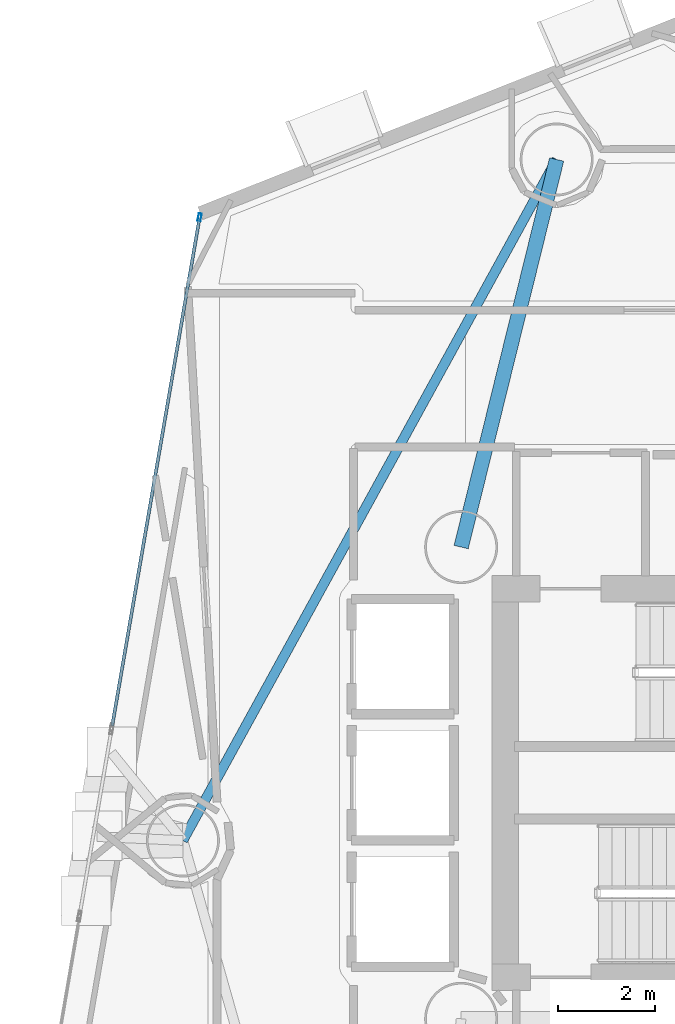
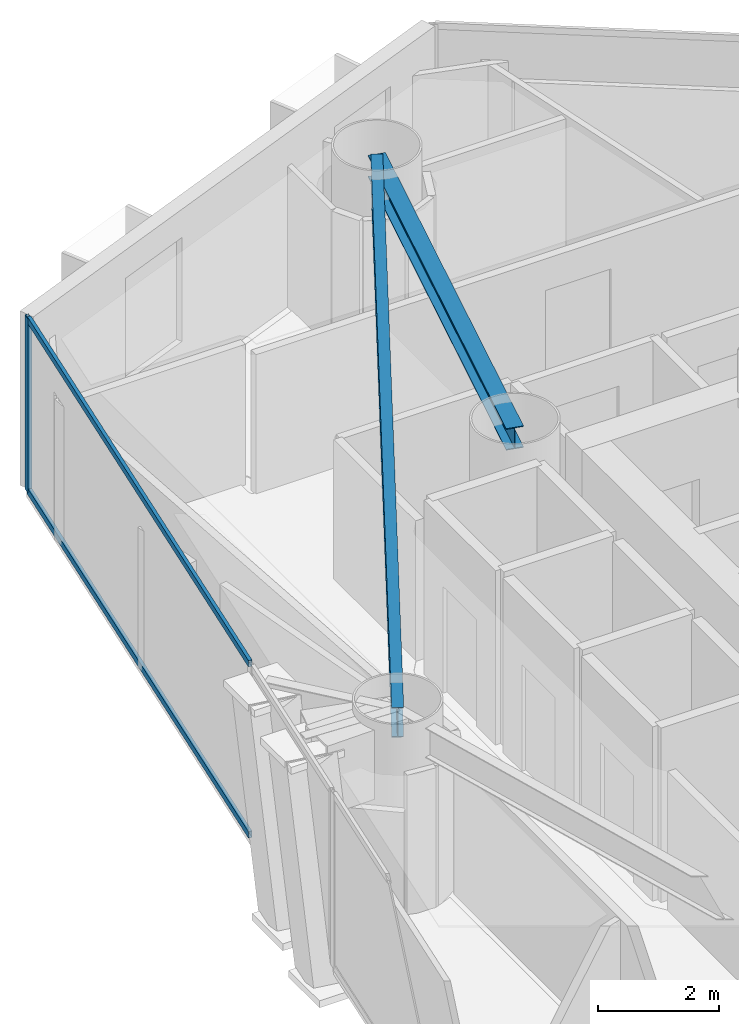
# One storey, part 9 of 21: 3 members, 2 beams, 1 element without a shape of its own.
"""IFC4 building model written with IfcOpenShell, lengths in metres."""

from ifc_helpers import new_model, si_unit, direction, frame, origin, origin_2d, place, context, subcontext, project, spatial, hollow_rectangle, i_section, extrude, material, layer, layer_set, material_profile, profile_set, type_object, element, aggregate, save


model = new_model("IFC4")

# Units and contexts
model_context = context("Model", 3, precision=1e-05, world=origin(), true_north=direction((0.0, 1.0)))
body_context = subcontext(model_context, "Body", "Model", "MODEL_VIEW")
ifc_project = project(units=[si_unit("LENGTHUNIT", "METRE"), si_unit("AREAUNIT", "SQUARE_METRE"), si_unit("VOLUMEUNIT", "CUBIC_METRE"), si_unit("PLANEANGLEUNIT", "RADIAN"), si_unit("MASSUNIT", "GRAM", prefix="KILO")], contexts=[model_context])

# Site, building, storey
site_placement = place(None, origin())
site = spatial("IfcSite", under=ifc_project, at=site_placement, CompositionType="ELEMENT")
building_placement = place(site_placement, origin())
building = spatial("IfcBuilding", under=site, at=building_placement, Name="Qianvela Tower", CompositionType="ELEMENT")
storey_placement = place(building_placement, frame((0.0, 0.0, 112.60009765625)))
storey = spatial("IfcBuildingStorey", under=building, at=storey_placement, Name="L28", CompositionType="ELEMENT", Elevation=112.60009765625)

# Beams
ifc_material_1 = material(Name="Steel Q355B", Category="steel")
ifc_material_profile_1 = material_profile(ifc_material_1, i_section(OverallWidth=0.300048828125, OverallDepth=0.43994140625, WebThickness=0.010986328125, FlangeThickness=0.01806640625, at=origin_2d()), Name="HM440x300x11x18")
ifc_profile_set_1 = profile_set([ifc_material_profile_1], Name="Steel Q355B")
beam_type_1 = type_object("IfcBeamType", Name="BM-HM440-COLL", PredefinedType="BEAM", material=ifc_profile_set_1)
beam_1_placement = place(storey_placement, frame((28.60009765625, 33.550048828125, 3.2978515625), z_axis=(0.239224384232, 0.970964311388, 0.0), x_axis=(-0.970964311388, 0.239224384232, 0.0)))
element("IfcBeam", 1, at=beam_1_placement, inside=storey, type_object=beam_type_1, Name="L28 Perimeter Ring Tie Girder 2B", PredefinedType="BEAM", context=body_context, shape_type="SweptSolid", body=[
    extrude(i_section(OverallWidth=0.300048828125, OverallDepth=0.43994140625, WebThickness=0.010986328125, FlangeThickness=0.01806640625, at=origin_2d()), origin(), (0.0, 0.0, 1.0), 8.209228515625),
])
ifc_material_2 = material(Name="Steel Q355B", Category="steel")
ifc_material_profile_2 = material_profile(ifc_material_2, i_section(OverallWidth=0.199951171875, OverallDepth=0.60009765625, WebThickness=0.010986328125, FlangeThickness=0.01708984375, at=origin_2d()), Name="HN600x200x11x17")
ifc_profile_set_2 = profile_set([ifc_material_profile_2], Name="Steel Q355B")
beam_type_2 = type_object("IfcBeamType", Name="BM-HN600-GIRD", PredefinedType="BEAM", material=ifc_profile_set_2)
beam_2_placement = place(storey_placement, frame((30.56396484375, 41.52099609375, 3.218017578125), z_axis=(-0.481118353038, -0.876655650965, 0.0), x_axis=(0.876655650965, -0.481118353038, 0.0)))
element("IfcBeam", 2, at=beam_2_placement, inside=storey, type_object=beam_type_2, Name="L28 Perimeter Ring Spandrel Girder 3", PredefinedType="BEAM", context=body_context, shape_type="SweptSolid", body=[
    extrude(i_section(OverallWidth=0.199951171875, OverallDepth=0.60009765625, WebThickness=0.010986328125, FlangeThickness=0.01708984375, at=origin_2d()), origin(), (0.0, 0.0, 1.0), 15.975341796875),
])

# Curtain wall, members
ifc_material_3 = material(Name="Anodised Architectural Aluminium and Low-E Glass", Category="aluminium")
ifc_layer = layer(ifc_material_3, 0.169921875)
ifc_layer_set = layer_set([ifc_layer], Name="Anodised Architectural Aluminium and Low-E Glass")
curtain_wall_type = type_object("IfcCurtainWallType", Name="CW-COLIV-Z34", PredefinedType="USERDEFINED", material=ifc_layer_set)
curtain_wall_placement = place(storey_placement, origin())
curtain_wall = element("IfcCurtainWall", 3, at=curtain_wall_placement, inside=storey, type_object=curtain_wall_type, Name="L28 CW-COLIV-Z34 Curtain Wall 04A", ObjectType="CURTAIN_WALL_SYSTEM", PredefinedType="USERDEFINED")
ifc_material_4 = material(Name="Anodised Architectural Aluminium 6063-T6", Category="aluminium")
ifc_material_profile_3 = material_profile(ifc_material_4, hollow_rectangle(XDim=0.06494140625, YDim=0.159912109375, WallThickness=0.0048828125, at=origin_2d()), Name="ALU-MULL-65x160")
ifc_profile_set_3 = profile_set([ifc_material_profile_3], Name="Anodised Architectural Aluminium 6063-T6")
member_type_1 = type_object("IfcMemberType", Name="CW-COLIV-Z34-MULL", PredefinedType="MULLION", material=ifc_profile_set_3)
member_1_placement = place(storey_placement, frame((23.222900390625, 40.334228515625, 0.0), z_axis=(0.0, 0.0, 1.0), x_axis=(0.985526133735, -0.169523566874, 0.0)))
member_1 = element("IfcMember", 4, at=member_1_placement, type_object=member_type_1, Name="CW-4 mullion 1", PredefinedType="MULLION", context=body_context, shape_type="SweptSolid", body=[
    extrude(hollow_rectangle(XDim=0.06494140625, YDim=0.159912109375, WallThickness=0.0048828125, at=origin_2d()), origin(), (0.0, 0.0, 1.0), 3.52001953125),
])
ifc_material_5 = material(Name="Anodised Architectural Aluminium 6063-T6", Category="aluminium")
ifc_material_profile_4 = material_profile(ifc_material_5, hollow_rectangle(XDim=0.06494140625, YDim=0.1298828125, WallThickness=0.00439453125, at=origin_2d()), Name="ALU-TRAN-65x130")
ifc_profile_set_4 = profile_set([ifc_material_profile_4], Name="Anodised Architectural Aluminium 6063-T6")
member_type_2 = type_object("IfcMemberType", Name="CW-COLIV-Z34-TRAN", PredefinedType="USERDEFINED", material=ifc_profile_set_4)
member_2_placement = place(storey_placement, frame((23.21728515625, 40.30224609375, 0.032470703125), z_axis=(-0.169512036066, -0.985528117117, 0.0), x_axis=(0.985528117117, -0.169512036066, 0.0)))
member_2 = element("IfcMember", 5, at=member_2_placement, type_object=member_type_2, Name="CW-4 transom 1.1", ObjectType="TRANSOM", PredefinedType="USERDEFINED", context=body_context, shape_type="SweptSolid", body=[
    extrude(hollow_rectangle(XDim=0.06494140625, YDim=0.1298828125, WallThickness=0.00439453125, at=origin_2d()), origin(), (0.0, 0.0, 1.0), 10.580078125),
])
member_3_placement = place(storey_placement, frame((23.21728515625, 40.30224609375, 3.4873046875), z_axis=(-0.169512036066, -0.985528117117, 0.0), x_axis=(0.985528117117, -0.169512036066, 0.0)))
member_3 = element("IfcMember", 6, at=member_3_placement, type_object=member_type_2, Name="CW-4 transom 1.2", ObjectType="TRANSOM", PredefinedType="USERDEFINED", context=body_context, shape_type="SweptSolid", body=[
    extrude(hollow_rectangle(XDim=0.06494140625, YDim=0.1298828125, WallThickness=0.00439453125, at=origin_2d()), origin(), (0.0, 0.0, 1.0), 10.580078125),
])
aggregate(curtain_wall, [member_1, member_2, member_3])

save(model, "model.ifc")
